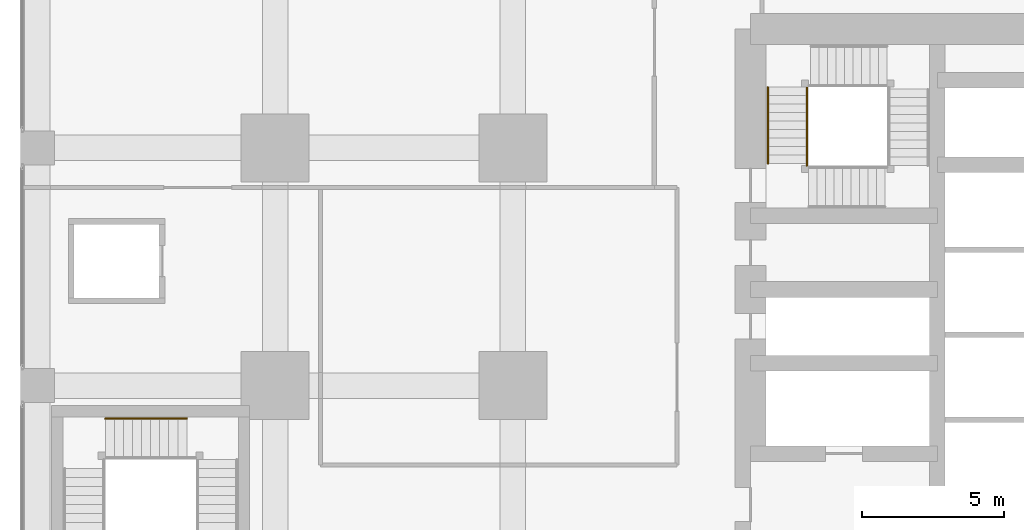
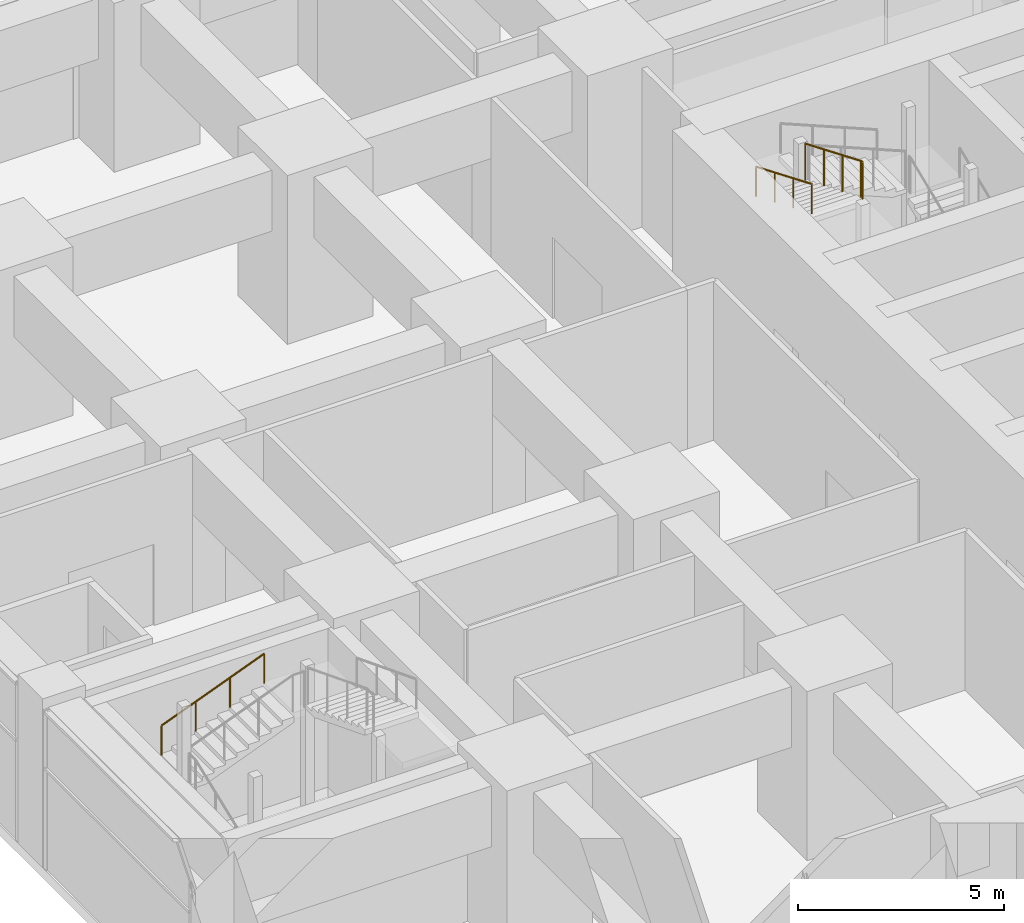
# One storey, part 45 of 49: 4 railings.
"""IFC4 building model written with IfcOpenShell, lengths in metres."""

from ifc_helpers import new_model, si_unit, direction, frame, origin, origin_2d, place, context, subcontext, project, spatial, circle, extrude, material, type_object, element, save


model = new_model("IFC4")

# Units and contexts
model_context = context("Model", 3, precision=1e-05, world=origin(), true_north=direction((0.0, 1.0)))
body_context = subcontext(model_context, "Body", "Model", "MODEL_VIEW")
ifc_project = project(units=[si_unit("LENGTHUNIT", "METRE"), si_unit("AREAUNIT", "SQUARE_METRE"), si_unit("VOLUMEUNIT", "CUBIC_METRE"), si_unit("PLANEANGLEUNIT", "RADIAN"), si_unit("MASSUNIT", "GRAM", prefix="KILO")], contexts=[model_context])

# Site, building, storey
site_placement = place(None, origin())
site = spatial("IfcSite", under=ifc_project, at=site_placement, CompositionType="ELEMENT")
building_placement = place(site_placement, origin())
building = spatial("IfcBuilding", under=site, at=building_placement, Name="Rekha Terrace Tower", CompositionType="ELEMENT")
storey_placement = place(building_placement, frame((0.0, 0.0, 10.39990234375)))
storey = spatial("IfcBuildingStorey", under=building, at=storey_placement, Name="L02", CompositionType="ELEMENT", Elevation=10.39990234375)

# Railings
ifc_material_1 = material(Name="Stainless steel balustrade", Category="steel")
railing_type_1 = type_object("IfcRailingType", Name="GR1 1100 stair guard", PredefinedType="GUARDRAIL", material=ifc_material_1)
railing_1_placement = place(storey_placement, frame((27.18994140625, 44.14990234375, 3.875)))
element("IfcRailing", 1, at=railing_1_placement, inside=storey, type_object=railing_type_1, Name="Guard ST4 L02 flight 4", PredefinedType="GUARDRAIL", context=body_context, shape_type="SweptSolid", body=[
    extrude(circle(Radius=0.02392578125, at=origin_2d()), frame((0.0, 0.0, 1.076171875), z_axis=(0.0, -0.923074453586, 0.384621311341), x_axis=(1.0, 0.0, 0.0)), (0.0, 0.0, 1.0), 2.925048828125),
    extrude(circle(Radius=0.02099609375, at=origin_2d()), origin(), (0.0, 0.0, 1.0), 1.052001953125),
    extrude(circle(Radius=0.02099609375, at=origin_2d()), frame((0.0, -0.89990234375, 0.375)), (0.0, 0.0, 1.0), 1.052001953125),
    extrude(circle(Radius=0.02099609375, at=origin_2d()), frame((0.0, -1.800048828125, 0.75)), (0.0, 0.0, 1.0), 1.052001953125),
    extrude(circle(Radius=0.02099609375, at=origin_2d()), frame((0.0, -2.699951171875, 1.125)), (0.0, 0.0, 1.0), 1.052001953125),
])
railing_2_placement = place(storey_placement, frame((27.18994140625, 41.375, 5.0)))
element("IfcRailing", 2, at=railing_2_placement, inside=storey, type_object=railing_type_1, Name="Guard ST4 L02 landing 4", PredefinedType="GUARDRAIL", context=body_context, shape_type="SweptSolid", body=[
    extrude(circle(Radius=0.02392578125, at=origin_2d()), frame((0.0, 0.0, 1.076171875), z_axis=(0.0, 1.0, 0.0), x_axis=(-1.0, 0.0, 0.0)), (0.0, 0.0, 1.0), 0.074951171875),
    extrude(circle(Radius=0.02099609375, at=origin_2d()), origin(), (0.0, 0.0, 1.0), 1.052001953125),
    extrude(circle(Radius=0.02099609375, at=origin_2d()), frame((0.0, 0.074951171875, 0.0)), (0.0, 0.0, 1.0), 1.052001953125),
])
ifc_material_2 = material(Name="Stainless steel tube", Category="steel")
railing_type_2 = type_object("IfcRailingType", Name="HR1 900 stair handrail", PredefinedType="HANDRAIL", material=ifc_material_2)
railing_3_placement = place(storey_placement, frame((2.39990234375, 32.43994140625, 2.625)))
element("IfcRailing", 3, at=railing_3_placement, inside=storey, type_object=railing_type_2, Name="Handrail SP1 L02 flight 3", PredefinedType="HANDRAIL", context=body_context, shape_type="SweptSolid", body=[
    extrude(circle(Radius=0.02392578125, at=origin_2d()), frame((0.0, 0.0, 0.8759765625), z_axis=(0.931462784923, 0.0, 0.363836612098), x_axis=(0.0, 1.0, 0.0)), (0.0, 0.0, 1.0), 3.092041015625),
    extrude(circle(Radius=0.02099609375, at=origin_2d()), origin(), (0.0, 0.0, 1.0), 0.851806640625),
    extrude(circle(Radius=0.02099609375, at=origin_2d()), frame((0.9599609375, 0.0, 0.375)), (0.0, 0.0, 1.0), 0.851806640625),
    extrude(circle(Radius=0.02099609375, at=origin_2d()), frame((1.920166015625, 0.0, 0.75)), (0.0, 0.0, 1.0), 0.851806640625),
    extrude(circle(Radius=0.02099609375, at=origin_2d()), frame((2.880126953125, 0.0, 1.125)), (0.0, 0.0, 1.0), 0.851806640625),
])
railing_4_placement = place(storey_placement, frame((25.81005859375, 44.14990234375, 3.875)))
element("IfcRailing", 4, at=railing_4_placement, inside=storey, type_object=railing_type_2, Name="Handrail ST4 L02 flight 4", PredefinedType="HANDRAIL", context=body_context, shape_type="SweptSolid", body=[
    extrude(circle(Radius=0.02392578125, at=origin_2d()), frame((0.0, 0.0, 0.8759765625), z_axis=(0.0, -0.923074453586, 0.384621311341), x_axis=(1.0, 0.0, 0.0)), (0.0, 0.0, 1.0), 2.925048828125),
    extrude(circle(Radius=0.02099609375, at=origin_2d()), origin(), (0.0, 0.0, 1.0), 0.851806640625),
    extrude(circle(Radius=0.02099609375, at=origin_2d()), frame((0.0, -0.89990234375, 0.375)), (0.0, 0.0, 1.0), 0.851806640625),
    extrude(circle(Radius=0.02099609375, at=origin_2d()), frame((0.0, -1.800048828125, 0.75)), (0.0, 0.0, 1.0), 0.851806640625),
    extrude(circle(Radius=0.02099609375, at=origin_2d()), frame((0.0, -2.699951171875, 1.125)), (0.0, 0.0, 1.0), 0.851806640625),
])

save(model, "model.ifc")
